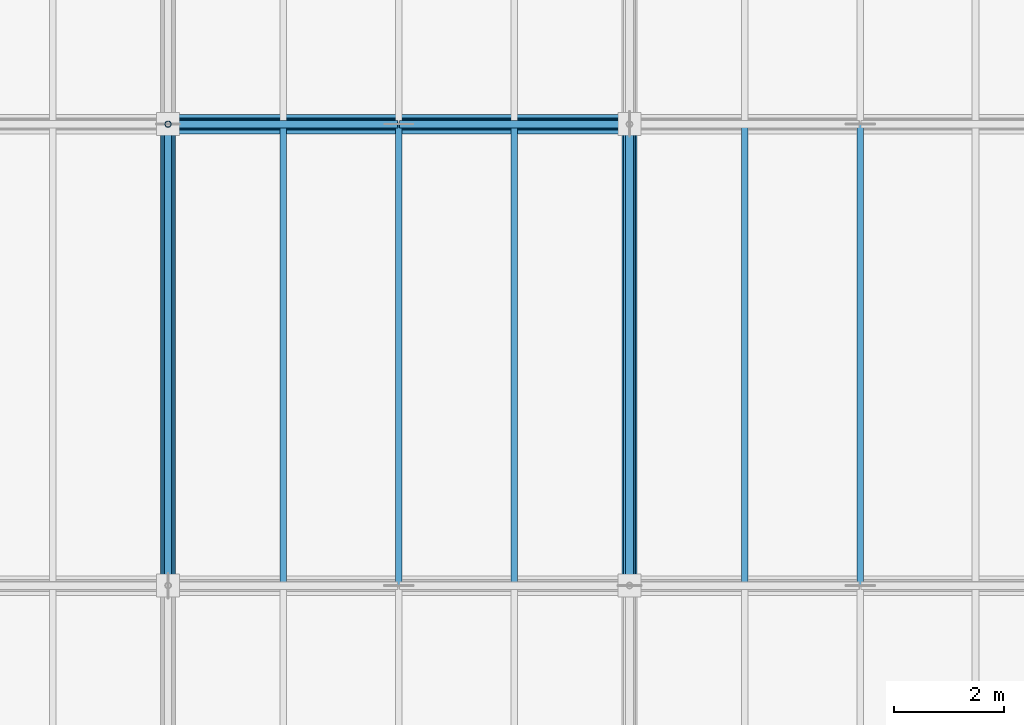
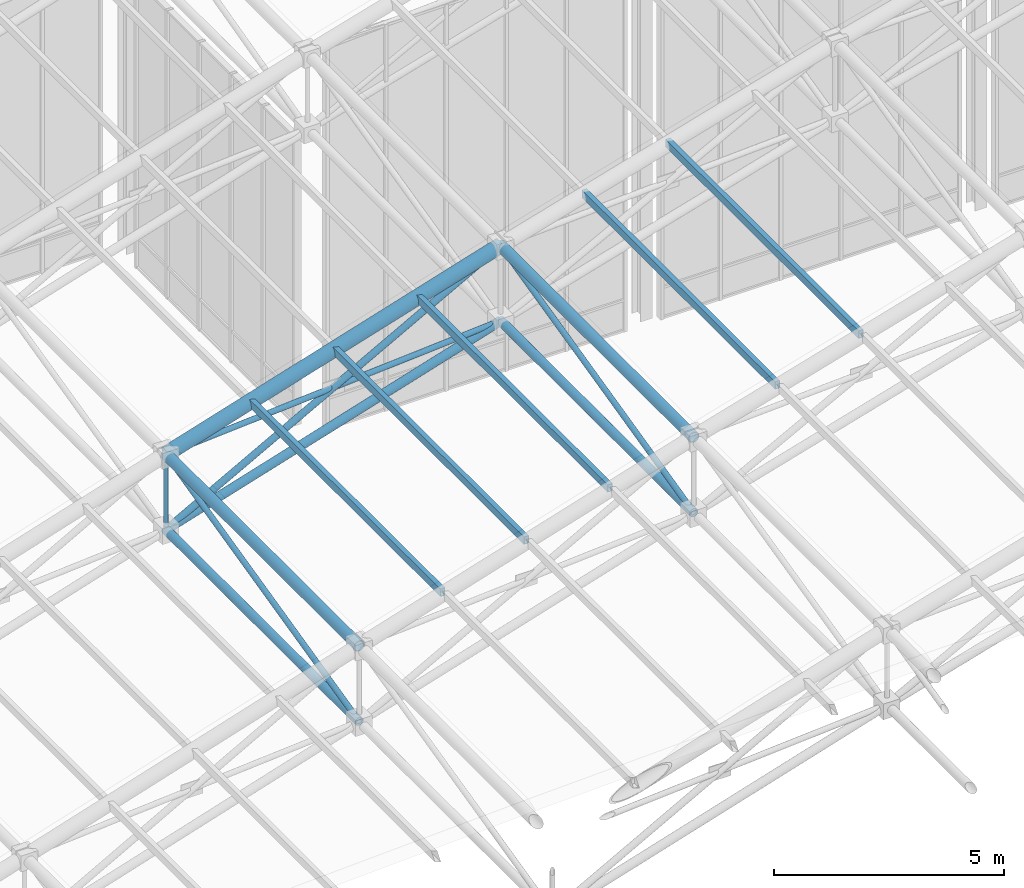
# One storey, part 43 of 144: 17 members.
"""IFC4 building model written with IfcOpenShell, lengths in metres."""

from ifc_helpers import new_model, si_unit, direction, frame, origin, origin_2d, place, context, subcontext, project, spatial, hollow_rectangle, hollow_circle, extrude, material, material_profile, profile_set, type_object, element, save


model = new_model("IFC4")

# Units and contexts
model_context = context("Model", 3, precision=1e-05, world=origin(), true_north=direction((0.0, 1.0)))
body_context = subcontext(model_context, "Body", "Model", "MODEL_VIEW")
ifc_project = project(units=[si_unit("LENGTHUNIT", "METRE"), si_unit("AREAUNIT", "SQUARE_METRE"), si_unit("VOLUMEUNIT", "CUBIC_METRE"), si_unit("PLANEANGLEUNIT", "RADIAN"), si_unit("MASSUNIT", "GRAM", prefix="KILO")], contexts=[model_context])

# Site, building, storey
site_placement = place(None, origin())
site = spatial("IfcSite", under=ifc_project, at=site_placement, CompositionType="ELEMENT")
building_placement = place(site_placement, origin())
building = spatial("IfcBuilding", under=site, at=building_placement, Name="Zayran Congress Hotel", CompositionType="ELEMENT")
storey_placement = place(building_placement, frame((0.0, 0.0, 19.199951171875)))
storey = spatial("IfcBuildingStorey", under=building, at=storey_placement, Name="L04", CompositionType="ELEMENT", Elevation=19.199951171875)

# Members
ifc_material = material(Name="Steel S355", Category="steel")
ifc_material_profile_1 = material_profile(ifc_material, hollow_circle(Radius=0.177734375, WallThickness=0.01611328125, at=origin_2d()), Name="CHS 355.6x16")
ifc_profile_set_1 = profile_set([ifc_material_profile_1], Name="Steel S355")
member_type_1 = type_object("IfcMemberType", Name="TP-SF-TC1", PredefinedType="CHORD", material=ifc_profile_set_1)
member_1_placement = place(storey_placement, frame((25.199951171875, 101.199951171875, 7.302001953125), z_axis=(0.955284210171, 0.0, 0.29568915739), x_axis=(0.0, 1.0, 0.0)))
element("IfcMember", 1, at=member_1_placement, inside=storey, type_object=member_type_1, Name="Space Frame Top Chord X 145", PredefinedType="CHORD", context=body_context, shape_type="SweptSolid", body=[
    extrude(hollow_circle(Radius=0.177734375, WallThickness=0.01611328125, at=origin_2d()), origin(), (0.0, 0.0, 1.0), 8.79345703125),
])
ifc_material_profile_2 = material_profile(ifc_material, hollow_circle(Radius=0.136474609375, WallThickness=0.012451171875, at=origin_2d()), Name="CHS 273x12.5")
ifc_profile_set_2 = profile_set([ifc_material_profile_2], Name="Steel S355")
member_type_2 = type_object("IfcMemberType", Name="TP-SF-TC2", PredefinedType="CHORD", material=ifc_profile_set_2)
for number, where, z_axis, x_axis, name in (
    (2, (25.199951171875, 92.800048828125, 7.302001953125), (0.0, 1.0, 0.0), (-1.0, 0.0, 0.0), "Space Frame Top Chord Y 141"),
    (3, (33.60009765625, 92.800048828125, 9.902099609375), (0.0, 1.0, 0.0), (-1.0, 0.0, 0.0), "Space Frame Top Chord Y 194"),
):
    element("IfcMember", number, at=place(storey_placement, frame(where, z_axis=z_axis, x_axis=x_axis)), inside=storey, type_object=member_type_2, Name=name, PredefinedType="CHORD", context=body_context, shape_type="SweptSolid", body=[
        extrude(hollow_circle(Radius=0.136474609375, WallThickness=0.012451171875, at=origin_2d()), origin(), (0.0, 0.0, 1.0), 8.39990234375),
    ])
ifc_material_profile_3 = material_profile(ifc_material, hollow_circle(Radius=0.109619140625, WallThickness=0.010009765625, at=origin_2d()), Name="CHS 219.1x10")
ifc_profile_set_3 = profile_set([ifc_material_profile_3], Name="Steel S355")
member_type_3 = type_object("IfcMemberType", Name="TP-SF-BC1", PredefinedType="CHORD", material=ifc_profile_set_3)
member_2_placement = place(storey_placement, frame((25.199951171875, 92.800048828125, 5.300048828125), z_axis=(0.0, 1.0, 0.0), x_axis=(-1.0, 0.0, 0.0)))
element("IfcMember", 4, at=member_2_placement, inside=storey, type_object=member_type_3, Name="Space Frame Bottom Chord Y 142", PredefinedType="CHORD", context=body_context, shape_type="SweptSolid", body=[
    extrude(hollow_circle(Radius=0.109619140625, WallThickness=0.010009765625, at=origin_2d()), origin(), (0.0, 0.0, 1.0), 8.39990234375),
])
member_3_placement = place(storey_placement, frame((25.199951171875, 101.199951171875, 5.300048828125), z_axis=(0.955284210171, 0.0, 0.29568915739), x_axis=(0.0, 1.0, 0.0)))
element("IfcMember", 5, at=member_3_placement, inside=storey, type_object=member_type_3, Name="Space Frame Bottom Chord X 146", PredefinedType="CHORD", context=body_context, shape_type="SweptSolid", body=[
    extrude(hollow_circle(Radius=0.109619140625, WallThickness=0.010009765625, at=origin_2d()), origin(), (0.0, 0.0, 1.0), 8.79345703125),
])
member_4_placement = place(storey_placement, frame((33.60009765625, 92.800048828125, 7.900146484375), z_axis=(0.0, 1.0, 0.0), x_axis=(-1.0, 0.0, 0.0)))
element("IfcMember", 6, at=member_4_placement, inside=storey, type_object=member_type_3, Name="Space Frame Bottom Chord Y 195", PredefinedType="CHORD", context=body_context, shape_type="SweptSolid", body=[
    extrude(hollow_circle(Radius=0.109619140625, WallThickness=0.010009765625, at=origin_2d()), origin(), (0.0, 0.0, 1.0), 8.39990234375),
])
ifc_material_profile_4 = material_profile(ifc_material, hollow_circle(Radius=0.084228515625, WallThickness=0.008056640625, at=origin_2d()), Name="CHS 168.3x8")
ifc_profile_set_4 = profile_set([ifc_material_profile_4], Name="Steel S355")
member_type_4 = type_object("IfcMemberType", Name="TP-SF-DG1", PredefinedType="BRACE", material=ifc_profile_set_4)
member_5_placement = place(storey_placement, frame((25.199951171875, 101.199951171875, 5.300048828125), z_axis=(0.877009581124, 0.0, 0.480472886453), x_axis=(0.0, 1.0, 0.0)))
element("IfcMember", 7, at=member_5_placement, inside=storey, type_object=member_type_4, Name="Space Frame Web Diagonal X 147", PredefinedType="BRACE", context=body_context, shape_type="SweptSolid", body=[
    extrude(hollow_circle(Radius=0.084228515625, WallThickness=0.008056640625, at=origin_2d()), origin(), (0.0, 0.0, 1.0), 9.578125),
])
ifc_material_profile_5 = material_profile(ifc_material, hollow_circle(Radius=0.06982421875, WallThickness=0.00634765625, at=origin_2d()), Name="CHS 139.7x6.3")
ifc_profile_set_5 = profile_set([ifc_material_profile_5], Name="Steel S355")
member_type_5 = type_object("IfcMemberType", Name="TP-SF-DG2", PredefinedType="BRACE", material=ifc_profile_set_5)
member_6_placement = place(storey_placement, frame((25.199951171875, 92.800048828125, 5.300048828125), z_axis=(0.0, 0.97275461998, 0.231837118056), x_axis=(-1.0, 0.0, 0.0)))
element("IfcMember", 8, at=member_6_placement, inside=storey, type_object=member_type_5, Name="Space Frame Web Diagonal Y 143", PredefinedType="BRACE", context=body_context, shape_type="SweptSolid", body=[
    extrude(hollow_circle(Radius=0.06982421875, WallThickness=0.00634765625, at=origin_2d()), origin(), (0.0, 0.0, 1.0), 8.63525390625),
])
for number, where, z_axis, x_axis, name in (
    (9, (25.199951171875, 101.199951171875, 7.302001953125), (0.99747698019, 0.0, 0.07099066129), (0.0, 1.0, 0.0), "Space Frame Counter Diagonal X Upper 148"),
    (10, (29.4150390625, 101.199951171875, 7.60205078125), (0.997472858069, 0.0, 0.071048556744), (0.0, 1.0, 0.0), "Space Frame Counter Diagonal X Lower 25"),
):
    element("IfcMember", number, at=place(storey_placement, frame(where, z_axis=z_axis, x_axis=x_axis)), inside=storey, type_object=member_type_5, Name=name, PredefinedType="BRACE", context=body_context, shape_type="SweptSolid", body=[
        extrude(hollow_circle(Radius=0.06982421875, WallThickness=0.00634765625, at=origin_2d()), origin(), (0.0, 0.0, 1.0), 4.195556640625),
    ])
member_7_placement = place(storey_placement, frame((33.60009765625, 92.800048828125, 7.900146484375), z_axis=(0.0, 0.97275461998, 0.231837118056), x_axis=(-1.0, 0.0, 0.0)))
element("IfcMember", 11, at=member_7_placement, inside=storey, type_object=member_type_5, Name="Space Frame Web Diagonal Y 196", PredefinedType="BRACE", context=body_context, shape_type="SweptSolid", body=[
    extrude(hollow_circle(Radius=0.06982421875, WallThickness=0.00634765625, at=origin_2d()), origin(), (0.0, 0.0, 1.0), 8.63525390625),
])
ifc_material_profile_6 = material_profile(ifc_material, hollow_circle(Radius=0.05712890625, WallThickness=0.00634765625, at=origin_2d()), Name="CHS 114.3x6.3")
ifc_profile_set_6 = profile_set([ifc_material_profile_6], Name="Steel S355")
member_type_6 = type_object("IfcMemberType", Name="TP-SF-DG3", PredefinedType="BRACE", material=ifc_profile_set_6)
member_8_placement = place(storey_placement, frame((25.199951171875, 101.199951171875, 5.300048828125), z_axis=(0.0, 0.0, 1.0), x_axis=(0.0, 1.0, 0.0)))
element("IfcMember", 12, at=member_8_placement, inside=storey, type_object=member_type_6, Name="Space Frame Web Strut 152", PredefinedType="BRACE", context=body_context, shape_type="SweptSolid", body=[
    extrude(hollow_circle(Radius=0.05712890625, WallThickness=0.00634765625, at=origin_2d()), origin(), (0.0, 0.0, 1.0), 2.001953125),
])
ifc_material_profile_7 = material_profile(ifc_material, hollow_rectangle(XDim=0.1201171875, YDim=0.199951171875, WallThickness=0.008056640625, at=origin_2d()), Name="RHS 200x120x8")
ifc_profile_set_7 = profile_set([ifc_material_profile_7], Name="Steel S355")
member_type_7 = type_object("IfcMemberType", Name="TP-PR-01", PredefinedType="PURLIN", material=ifc_profile_set_7)
for number, where, z_axis, x_axis, name in (
    (13, (27.300048828125, 92.800048828125, 7.994140625), (0.0, 1.0, 0.0), (-1.0, 0.0, 0.0), "MEM-PR-V1-0040"),
    (14, (29.39990234375, 92.800048828125, 8.64404296875), (0.0, 1.0, 0.0), (-1.0, 0.0, 0.0), "MEM-PR-V1-0046"),
    (15, (31.5, 92.800048828125, 9.2939453125), (0.0, 1.0, 0.0), (-1.0, 0.0, 0.0), "MEM-PR-V1-0052"),
    (16, (35.699951171875, 92.800048828125, 10.556640625), (0.0, 1.0, 0.0), (-1.0, 0.0, 0.0), "MEM-PR-V1-0058"),
    (17, (37.800048828125, 92.800048828125, 11.1689453125), (0.0, 1.0, 0.0), (-1.0, 0.0, 0.0), "MEM-PR-V1-0064"),
):
    element("IfcMember", number, at=place(storey_placement, frame(where, z_axis=z_axis, x_axis=x_axis)), inside=storey, type_object=member_type_7, Name=name, PredefinedType="PURLIN", context=body_context, shape_type="SweptSolid", body=[
        extrude(hollow_rectangle(XDim=0.1201171875, YDim=0.199951171875, WallThickness=0.008056640625, at=origin_2d()), origin(), (0.0, 0.0, 1.0), 8.39990234375),
    ])

save(model, "model.ifc")
